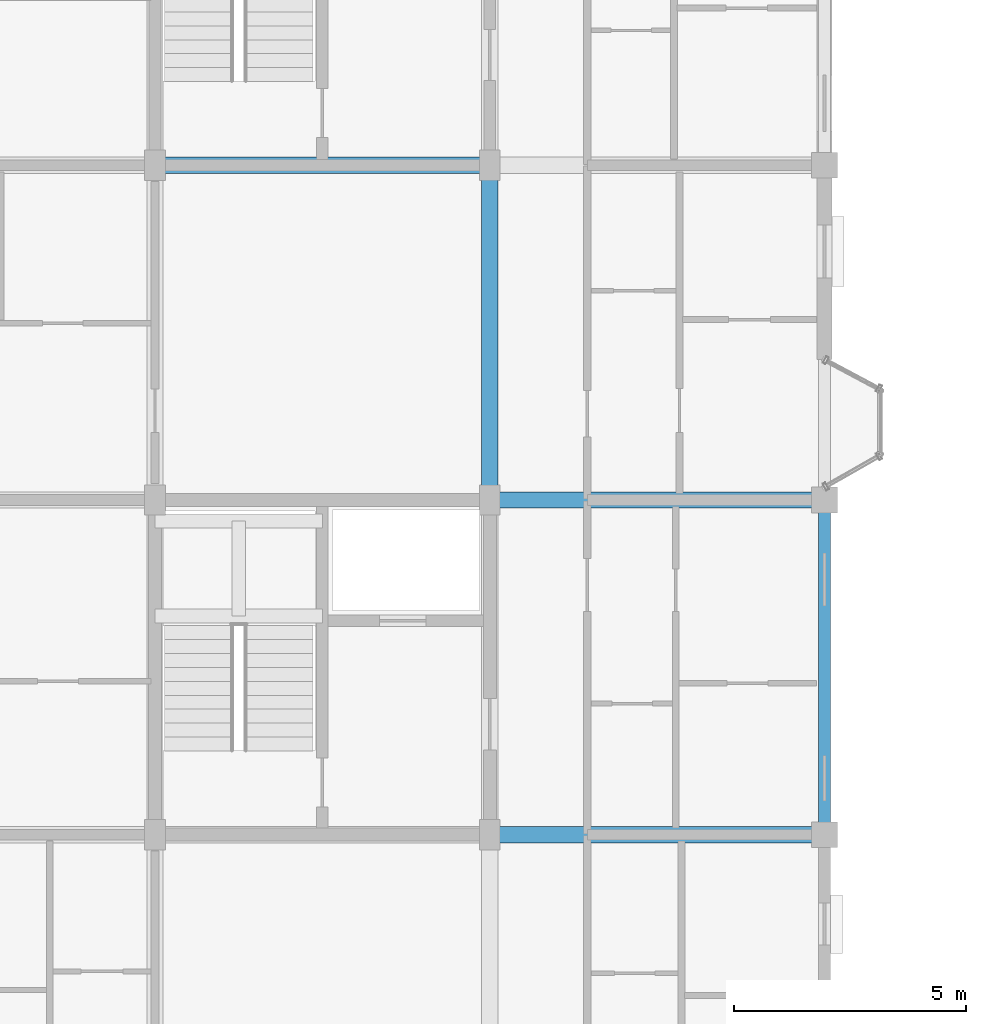
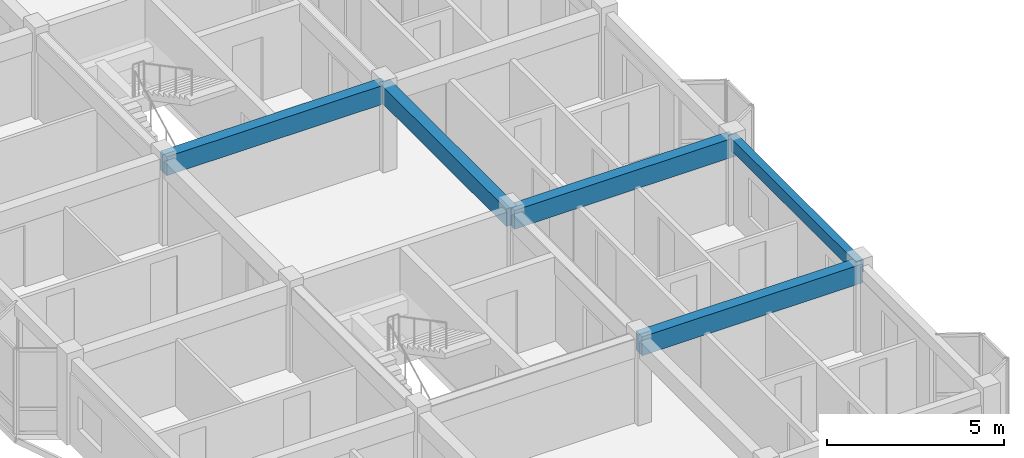
# One storey, part 18 of 77: 5 beams.
"""IFC4 building model written with IfcOpenShell, lengths in metres."""

from ifc_helpers import new_model, si_unit, direction, frame, origin, origin_2d, place, context, subcontext, project, spatial, rectangle, extrude, material, material_profile, profile_set, type_object, element, save


model = new_model("IFC4")

# Units and contexts
model_context = context("Model", 3, precision=1e-05, world=origin(), true_north=direction((0.0, 1.0)))
body_context = subcontext(model_context, "Body", "Model", "MODEL_VIEW")
ifc_project = project(units=[si_unit("LENGTHUNIT", "METRE"), si_unit("AREAUNIT", "SQUARE_METRE"), si_unit("VOLUMEUNIT", "CUBIC_METRE"), si_unit("PLANEANGLEUNIT", "RADIAN"), si_unit("MASSUNIT", "GRAM", prefix="KILO"), si_unit("THERMODYNAMICTEMPERATUREUNIT", "KELVIN"), si_unit("POWERUNIT", "WATT")], contexts=[model_context])

# Site, building, storey
site_placement = place(None, origin())
site = spatial("IfcSite", under=ifc_project, at=site_placement, CompositionType="ELEMENT")
building_placement = place(site_placement, origin())
building = spatial("IfcBuilding", under=site, at=building_placement, Name="Tavuni Mirador Residences", CompositionType="ELEMENT")
storey_placement = place(building_placement, frame((0.0, 0.0, 17.10009765625)))
storey = spatial("IfcBuildingStorey", under=building, at=storey_placement, Name="L05", CompositionType="ELEMENT", Elevation=17.10009765625)

# Beams
ifc_material = material(Name="Precast concrete C40/50", Category="concrete")
ifc_material_profile_1 = material_profile(ifc_material, rectangle(XDim=0.35009765625, YDim=0.60009765625, at=origin_2d()), Name="PC 350x600", Category="concrete")
ifc_profile_set_1 = profile_set([ifc_material_profile_1], Name="Precast concrete C40/50")
beam_type_1 = type_object("IfcBeamType", Name="BT-B600", PredefinedType="BEAM", material=ifc_profile_set_1)
beam_1_placement = place(storey_placement, frame((18.0, 79.199951171875, 2.60986328125), z_axis=(0.0, 1.0, 0.0), x_axis=(-1.0, 0.0, 0.0)))
element("IfcBeam", 1, at=beam_1_placement, inside=storey, type_object=beam_type_1, Name="BMY-BLK-B-L05-02-02", PredefinedType="BEAM", context=body_context, shape_type="SweptSolid", body=[
    extrude(rectangle(XDim=0.35009765625, YDim=0.60009765625, at=origin_2d()), origin(), (0.0, 0.0, 1.0), 7.199951171875),
])
ifc_material_profile_2 = material_profile(ifc_material, rectangle(XDim=0.35009765625, YDim=0.64990234375, at=origin_2d()), Name="PC 350x650", Category="concrete")
ifc_profile_set_2 = profile_set([ifc_material_profile_2], Name="Precast concrete C40/50")
beam_type_2 = type_object("IfcBeamType", Name="BT-B650", PredefinedType="BEAM", material=ifc_profile_set_2)
for number, where, z_axis, x_axis, name in (
    (2, (18.0, 72.0, 2.5849609375), (1.0, 0.0, 0.0), (0.0, 1.0, 0.0), "BMX-BLK-B-L05-02-01"),
    (3, (18.0, 79.199951171875, 2.5849609375), (1.0, 0.0, 0.0), (0.0, 1.0, 0.0), "BMX-BLK-B-L05-02-02"),
    (4, (10.800048828125, 86.39990234375, 2.5849609375), (1.0, 0.0, 0.0), (0.0, 1.0, 0.0), "BMX-BLK-B-L05-01-03"),
):
    element("IfcBeam", number, at=place(storey_placement, frame(where, z_axis=z_axis, x_axis=x_axis)), inside=storey, type_object=beam_type_2, Name=name, PredefinedType="BEAM", context=body_context, shape_type="SweptSolid", body=[
        extrude(rectangle(XDim=0.35009765625, YDim=0.64990234375, at=origin_2d()), origin(), (0.0, 0.0, 1.0), 7.199951171875),
    ])
ifc_material_profile_3 = material_profile(ifc_material, rectangle(XDim=0.25, YDim=0.419921875, at=origin_2d()), Name="PC 250x420", Category="concrete")
ifc_profile_set_3 = profile_set([ifc_material_profile_3], Name="Precast concrete C40/50")
beam_type_3 = type_object("IfcBeamType", Name="BT-SP420", PredefinedType="SPANDREL", material=ifc_profile_set_3)
beam_2_placement = place(storey_placement, frame((25.199951171875, 72.0, 2.699951171875), z_axis=(0.0, 1.0, 0.0), x_axis=(-1.0, 0.0, 0.0)))
element("IfcBeam", 5, at=beam_2_placement, inside=storey, type_object=beam_type_3, Name="BMY-BLK-B-L05-03-01", PredefinedType="SPANDREL", context=body_context, shape_type="SweptSolid", body=[
    extrude(rectangle(XDim=0.25, YDim=0.419921875, at=origin_2d()), origin(), (0.0, 0.0, 1.0), 7.199951171875),
])

save(model, "model.ifc")
